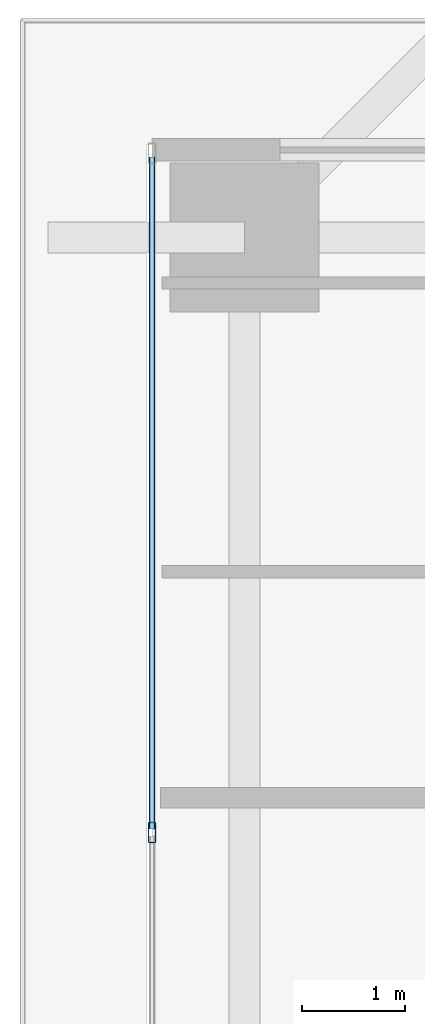
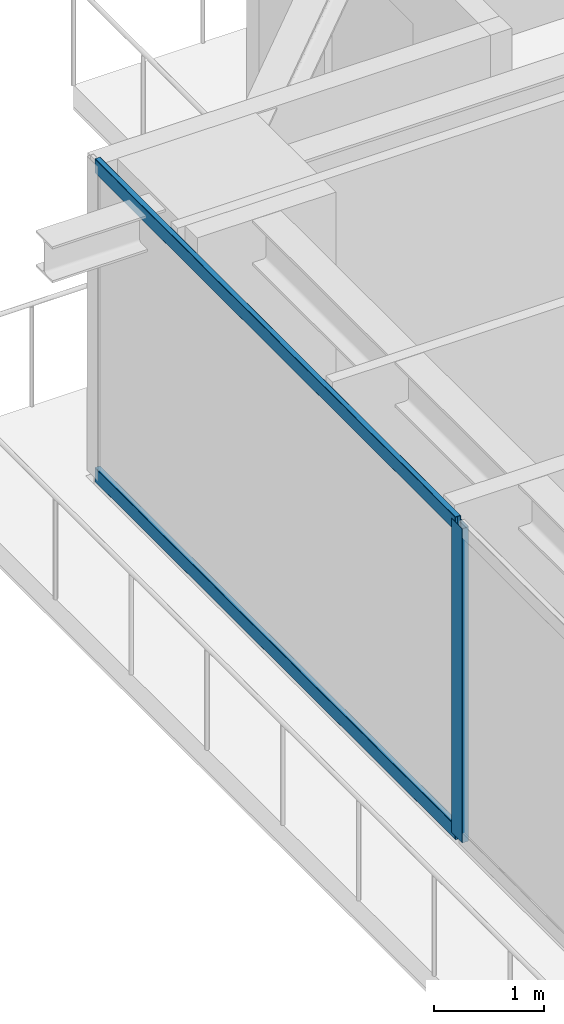
# One storey, part 16 of 37: 3 members, 1 element without a shape of its own.
"""IFC4 building model written with IfcOpenShell, lengths in metres."""

from ifc_helpers import new_model, si_unit, direction, frame, origin, origin_2d, place, context, subcontext, project, spatial, hollow_rectangle, extrude, source, transform, mapped, material, layer, layer_set, material_profile, profile_set, type_object, element, aggregate, save


model = new_model("IFC4")

# Units and contexts
model_context = context("Model", 3, precision=1e-05, world=origin(), true_north=direction((0.0, 1.0)))
body_context = subcontext(model_context, "Body", "Model", "MODEL_VIEW")
ifc_project = project(units=[si_unit("LENGTHUNIT", "METRE"), si_unit("AREAUNIT", "SQUARE_METRE"), si_unit("VOLUMEUNIT", "CUBIC_METRE"), si_unit("PLANEANGLEUNIT", "RADIAN"), si_unit("MASSUNIT", "GRAM", prefix="KILO")], contexts=[model_context])

# Site, building, storey
site_placement = place(None, origin())
site = spatial("IfcSite", under=ifc_project, at=site_placement, CompositionType="ELEMENT")
building_placement = place(site_placement, origin())
building = spatial("IfcBuilding", under=site, at=building_placement, Name="Serunith Strait Residences", CompositionType="ELEMENT")
storey_placement = place(building_placement, frame((0.0, 0.0, 26.699951171875)))
storey = spatial("IfcBuildingStorey", under=building, at=storey_placement, Name="L05", CompositionType="ELEMENT", Elevation=26.699951171875)

# Curtain wall, members
ifc_material = material(Name="Pale-Champagne Anodised Aluminium", Category="aluminium")
ifc_layer = layer(ifc_material, 0.199951171875, Name="Pale-Champagne Anodised Aluminium")
ifc_layer_set = layer_set([ifc_layer], Name="Pale-Champagne Anodised Aluminium")
curtain_wall_type = type_object("IfcCurtainWallType", Name="CW-SYS1", PredefinedType="NOTDEFINED", material=ifc_layer_set)
curtain_wall_placement = place(storey_placement, origin())
curtain_wall = element("IfcCurtainWall", 1, at=curtain_wall_placement, inside=storey, type_object=curtain_wall_type, Name="L05 W Unitised Fritted Curtain Wall", PredefinedType="NOTDEFINED")
ifc_material_profile_1 = material_profile(ifc_material, hollow_rectangle(XDim=0.070068359375, YDim=0.199951171875, WallThickness=0.00390625, InnerFilletRadius=0.006103515625, OuterFilletRadius=0.010009765625, at=origin_2d()), Name="ALU 200x70x4")
ifc_profile_set_1 = profile_set([ifc_material_profile_1], Name="Pale-Champagne Anodised Aluminium")
member_type_1 = type_object("IfcMemberType", Name="CW-SYS1-MULL", PredefinedType="MULLION", material=ifc_profile_set_1)
shared_shape_1 = source(origin(), body_context, "Body", "SweptSolid", [
    extrude(hollow_rectangle(XDim=0.070068359375, YDim=0.199951171875, WallThickness=0.00390625, InnerFilletRadius=0.006103515625, OuterFilletRadius=0.010009765625, at=origin_2d()), origin(), (0.0, 0.0, 1.0), 3.47509765625),
])
member_1_placement = place(storey_placement, frame((6.0, 35.159912109375, 0.0), z_axis=(0.0, 0.0, 1.0), x_axis=(1.0, 0.0, 0.0)))
member_1 = element("IfcMember", 2, at=member_1_placement, type_object=member_type_1, Name="CW-1 mullion 2", PredefinedType="MULLION", context=body_context, shape_type="MappedRepresentation", body=[
    mapped(shared_shape_1, transform((0.0, 0.0, 0.0), scale=1.0)),
])
ifc_material_profile_2 = material_profile(ifc_material, hollow_rectangle(XDim=0.06005859375, YDim=0.159912109375, WallThickness=0.00341796875, InnerFilletRadius=0.00537109375, OuterFilletRadius=0.0087890625, at=origin_2d()), Name="ALU 160x60x3.5")
ifc_profile_set_2 = profile_set([ifc_material_profile_2], Name="Pale-Champagne Anodised Aluminium")
member_type_2 = type_object("IfcMemberType", Name="CW-SYS1-TRAN", PredefinedType="USERDEFINED", material=ifc_profile_set_2)
shared_shape_2 = source(origin(), body_context, "Body", "SweptSolid", [
    extrude(hollow_rectangle(XDim=0.06005859375, YDim=0.159912109375, WallThickness=0.00341796875, InnerFilletRadius=0.00537109375, OuterFilletRadius=0.0087890625, at=origin_2d()), origin(), (0.0, 0.0, 1.0), 6.534912109375),
])
member_2_placement = place(storey_placement, frame((6.0, 41.72998046875, 0.030029296875), z_axis=(0.0, -1.0, 0.0), x_axis=(1.0, 0.0, 0.0)))
member_2 = element("IfcMember", 3, at=member_2_placement, type_object=member_type_2, Name="CW-1 transom 1.1", ObjectType="TRANSOM", PredefinedType="USERDEFINED", context=body_context, shape_type="MappedRepresentation", body=[
    mapped(shared_shape_2, transform((0.0, 0.0, 0.0), scale=1.0)),
])
member_3_placement = place(storey_placement, frame((6.0, 41.72998046875, 3.445068359375), z_axis=(0.0, -1.0, 0.0), x_axis=(1.0, 0.0, 0.0)))
member_3 = element("IfcMember", 4, at=member_3_placement, type_object=member_type_2, Name="CW-1 transom 1.2", ObjectType="TRANSOM", PredefinedType="USERDEFINED", context=body_context, shape_type="MappedRepresentation", body=[
    mapped(shared_shape_2, transform((0.0, 0.0, 0.0), scale=1.0)),
])
aggregate(curtain_wall, [member_1, member_2, member_3])

save(model, "model.ifc")
